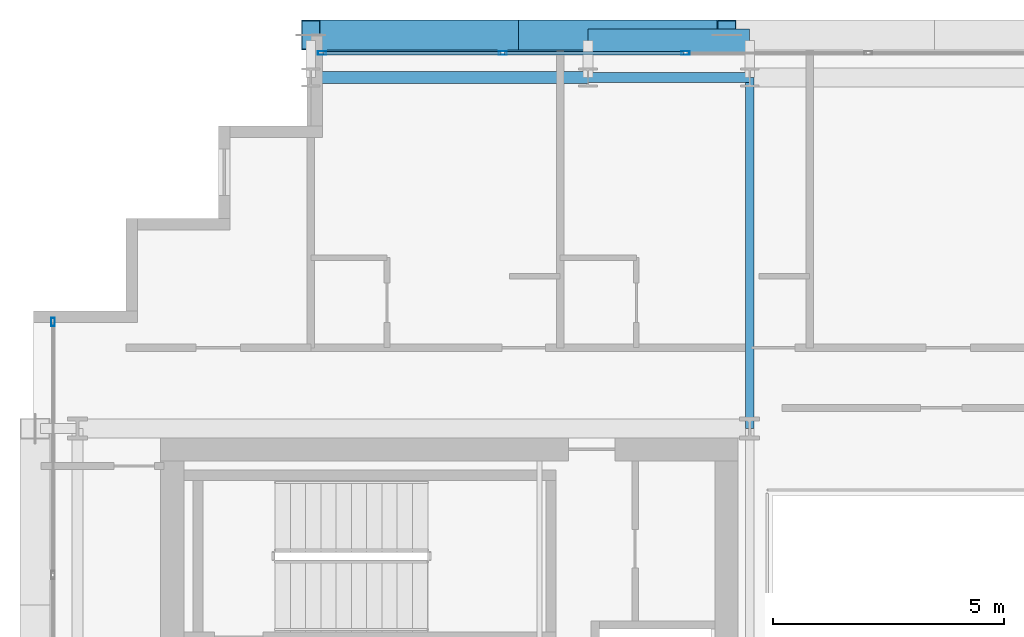
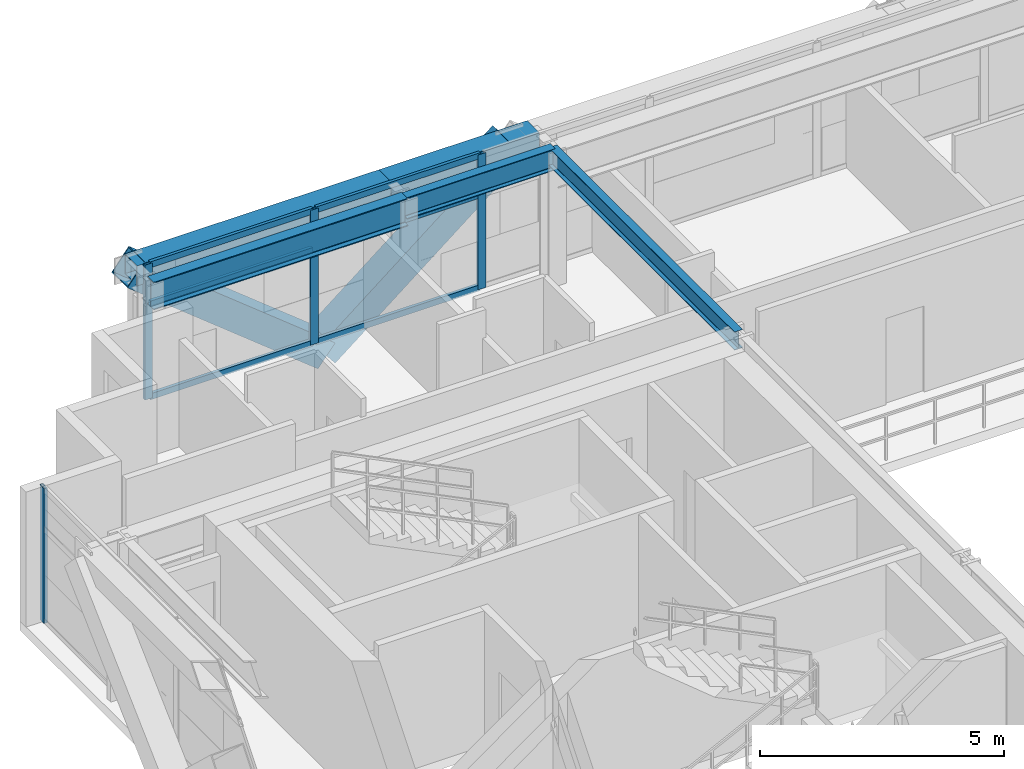
# One storey, part 16 of 32: 12 members, 5 beams, 2 elements without a shape of their own.
"""IFC4 building model written with IfcOpenShell, lengths in metres."""

from ifc_helpers import new_model, si_unit, direction, frame, origin, origin_2d, place, context, subcontext, project, spatial, hollow_rectangle, i_section, extrude, source, transform, mapped, material, layer, layer_set, material_profile, profile_set, type_object, element, aggregate, save


model = new_model("IFC4")

# Units and contexts
model_context = context("Model", 3, precision=1e-05, world=origin(), true_north=direction((0.0, 1.0)))
body_context = subcontext(model_context, "Body", "Model", "MODEL_VIEW")
ifc_project = project(units=[si_unit("LENGTHUNIT", "METRE"), si_unit("AREAUNIT", "SQUARE_METRE"), si_unit("VOLUMEUNIT", "CUBIC_METRE"), si_unit("PLANEANGLEUNIT", "RADIAN"), si_unit("MASSUNIT", "GRAM", prefix="KILO")], contexts=[model_context])

# Site, building, storey
site_placement = place(None, origin())
site = spatial("IfcSite", under=ifc_project, at=site_placement, CompositionType="ELEMENT")
building_placement = place(site_placement, origin())
building = spatial("IfcBuilding", under=site, at=building_placement, Name="Ocotamira Hotel", CompositionType="ELEMENT")
storey_placement = place(building_placement, frame((0.0, 0.0, 206.39990234375)))
storey = spatial("IfcBuildingStorey", under=building, at=storey_placement, Name="L52", CompositionType="ELEMENT", Elevation=206.39990234375)

# Beams
ifc_material_1 = material(Name="Steel ASTM A992 Grade 50", Category="steel")
ifc_material_profile_1 = material_profile(ifc_material_1, i_section(OverallWidth=0.256103515625, OverallDepth=0.693115234375, WebThickness=0.014404296875, FlangeThickness=0.023681640625, FilletRadius=0.01611328125, at=origin_2d()), Name="W27X114")
ifc_profile_set_1 = profile_set([ifc_material_profile_1], Name="Steel ASTM A992 Grade 50")
beam_type_1 = type_object("IfcBeamType", Name="BM-PRIM-W27X114", PredefinedType="BEAM", material=ifc_profile_set_1)
shared_shape_1 = source(origin(), body_context, "Body", "SweptSolid", [
    extrude(i_section(OverallWidth=0.256103515625, OverallDepth=0.693115234375, WebThickness=0.014404296875, FlangeThickness=0.023681640625, FilletRadius=0.01611328125, at=origin_2d()), origin(), (0.0, 0.0, 1.0), 6.0),
])
beam_1_placement = place(storey_placement, frame((14.0, 45.050048828125, 3.023681640625), z_axis=(1.0, 0.0, 0.0), x_axis=(0.0, 1.0, 0.0)))
element("IfcBeam", 1, at=beam_1_placement, inside=storey, type_object=beam_type_1, Name="L52 Girder Y45.05 X14-20", PredefinedType="BEAM", context=body_context, shape_type="MappedRepresentation", body=[
    mapped(shared_shape_1, transform((0.0, 0.0, 0.0), scale=1.0)),
])
ifc_material_profile_2 = material_profile(ifc_material_1, i_section(OverallWidth=0.2099609375, OverallDepth=0.537109375, WebThickness=0.010986328125, FlangeThickness=0.017333984375, FilletRadius=0.012939453125, at=origin_2d()), Name="W21X68")
ifc_profile_set_2 = profile_set([ifc_material_profile_2], Name="Steel ASTM A992 Grade 50")
beam_type_2 = type_object("IfcBeamType", Name="BM-SEC-W21X68", PredefinedType="JOIST", material=ifc_profile_set_2)
shared_shape_2 = source(origin(), body_context, "Body", "SweptSolid", [
    extrude(i_section(OverallWidth=0.2099609375, OverallDepth=0.537109375, WebThickness=0.010986328125, FlangeThickness=0.017333984375, FilletRadius=0.012939453125, at=origin_2d()), origin(), (0.0, 0.0, 1.0), 3.5),
])
beam_2_placement = place(storey_placement, frame((20.0, 45.050048828125, 3.1015625), z_axis=(1.0, 0.0, 0.0), x_axis=(0.0, 1.0, 0.0)))
element("IfcBeam", 2, at=beam_2_placement, inside=storey, type_object=beam_type_2, Name="L52 Girder Y45.05 X20-23.5", PredefinedType="JOIST", context=body_context, shape_type="MappedRepresentation", body=[
    mapped(shared_shape_2, transform((0.0, 0.0, 0.0), scale=1.0)),
])
ifc_material_2 = material(Name="Steel ASTM A500 Grade C", Category="steel")
ifc_material_profile_3 = material_profile(ifc_material_2, hollow_rectangle(XDim=0.5, YDim=0.5, WallThickness=0.02001953125, at=origin_2d()), Name="HSS500X500X20")
ifc_profile_set_3 = profile_set([ifc_material_profile_3], Name="Steel ASTM A500 Grade C")
beam_type_3 = type_object("IfcBeamType", Name="BM-SPAN-HSS500", PredefinedType="USERDEFINED", material=ifc_profile_set_3)
shared_shape_3 = source(origin(), body_context, "Body", "SweptSolid", [
    extrude(hollow_rectangle(XDim=0.5, YDim=0.5, WallThickness=0.02001953125, at=origin_2d()), origin(), (0.0, 0.0, 1.0), 6.0),
])
beam_3_placement = place(storey_placement, frame((14.0, 45.85009765625, 3.1201171875), z_axis=(1.0, 0.0, 0.0), x_axis=(0.0, 1.0, 0.0)))
element("IfcBeam", 3, at=beam_3_placement, inside=storey, type_object=beam_type_3, Name="L52 Edge Spandrel N X14-20", ObjectType="SPANDREL", PredefinedType="USERDEFINED", context=body_context, shape_type="MappedRepresentation", body=[
    mapped(shared_shape_3, transform((0.0, 0.0, 0.0), scale=1.0)),
])
shared_shape_4 = source(origin(), body_context, "Body", "SweptSolid", [
    extrude(hollow_rectangle(XDim=0.5, YDim=0.5, WallThickness=0.02001953125, at=origin_2d()), origin(), (0.0, 0.0, 1.0), 3.5),
])
beam_4_placement = place(storey_placement, frame((20.0, 45.85009765625, 3.1201171875), z_axis=(1.0, 0.0, 0.0), x_axis=(0.0, 1.0, 0.0)))
element("IfcBeam", 4, at=beam_4_placement, inside=storey, type_object=beam_type_3, Name="L52 Edge Spandrel N X20-23.5", ObjectType="SPANDREL", PredefinedType="USERDEFINED", context=body_context, shape_type="MappedRepresentation", body=[
    mapped(shared_shape_4, transform((0.0, 0.0, 0.0), scale=1.0)),
])
ifc_material_profile_4 = material_profile(ifc_material_1, i_section(OverallWidth=0.18994140625, OverallDepth=0.45703125, WebThickness=0.009033203125, FlangeThickness=0.014404296875, FilletRadius=0.010009765625, at=origin_2d()), Name="W18X50")
ifc_profile_set_4 = profile_set([ifc_material_profile_4], Name="Steel ASTM A992 Grade 50")
beam_type_4 = type_object("IfcBeamType", Name="BM-SEC-W18X50", PredefinedType="JOIST", material=ifc_profile_set_4)
shared_shape_5 = source(origin(), body_context, "Body", "SweptSolid", [
    extrude(i_section(OverallWidth=0.18994140625, OverallDepth=0.45703125, WebThickness=0.009033203125, FlangeThickness=0.014404296875, FilletRadius=0.010009765625, at=origin_2d()), origin(), (0.0, 0.0, 1.0), 7.60009765625),
])
beam_5_placement = place(storey_placement, frame((23.5, 37.449951171875, 3.1416015625), z_axis=(0.0, 1.0, 0.0), x_axis=(-1.0, 0.0, 0.0)))
element("IfcBeam", 5, at=beam_5_placement, inside=storey, type_object=beam_type_4, Name="L52 Beam X23.5 Y37.45-45.05", PredefinedType="JOIST", context=body_context, shape_type="MappedRepresentation", body=[
    mapped(shared_shape_5, transform((0.0, 0.0, 0.0), scale=1.0)),
])

# Members
ifc_material_3 = material(Name="Pale-metal coated steel ASTM A913 Grade 65", Category="steel")
ifc_material_profile_5 = material_profile(ifc_material_3, hollow_rectangle(XDim=0.64990234375, YDim=0.64990234375, WallThickness=0.02197265625, at=origin_2d()), Name="BOX650X650X22")
ifc_profile_set_5 = profile_set([ifc_material_profile_5], Name="Pale-metal coated steel ASTM A913 Grade 65")
member_type_1 = type_object("IfcMemberType", Name="MEM-EXO-BOX650", PredefinedType="BRACE", material=ifc_profile_set_5)
shared_shape_6 = source(origin(), body_context, "Body", "SweptSolid", [
    extrude(hollow_rectangle(XDim=0.64990234375, YDim=0.64990234375, WallThickness=0.02197265625, at=origin_2d()), origin(), (0.0, 0.0, 1.0), 5.762939453125),
])
for number, where, z_axis, x_axis, name in (
    (6, (18.5, 45.969970703125, -0.47998046875), (-0.780860543151, 0.0, 0.624705380279), (0.0, -1.0, 0.0), "L52 Exoskeleton Diagrid N0.1"),
    (7, (18.5, 45.969970703125, -0.47998046875), (0.780860543151, 0.0, 0.624705380279), (0.0, 1.0, 0.0), "L52 Exoskeleton Diagrid N0.2"),
):
    element("IfcMember", number, at=place(storey_placement, frame(where, z_axis=z_axis, x_axis=x_axis)), inside=storey, type_object=member_type_1, Name=name, PredefinedType="BRACE", context=body_context, shape_type="MappedRepresentation", body=[
        mapped(shared_shape_6, transform((0.0, 0.0, 0.0), scale=1.0)),
    ])

# Curtain wall, members
ifc_material_4 = material(Name="Anodised pale-metal aluminium and solar glass", Category="aluminium")
ifc_layer = layer(ifc_material_4, 0.199951171875)
ifc_layer_set = layer_set([ifc_layer], Name="Anodised pale-metal aluminium and solar glass")
curtain_wall_type = type_object("IfcCurtainWallType", Name="CW-SYS4-Z3", PredefinedType="NOTDEFINED", material=ifc_layer_set)
curtain_wall_1_placement = place(storey_placement, origin())
curtain_wall_1 = element("IfcCurtainWall", 8, at=curtain_wall_1_placement, inside=storey, type_object=curtain_wall_type, Name="L52 Curtain Wall CW-4 CW-L52-N", PredefinedType="NOTDEFINED")
ifc_material_5 = material(Name="Anodised pale-metal aluminium 6063-T6", Category="aluminium")
ifc_material_profile_6 = material_profile(ifc_material_5, hollow_rectangle(XDim=0.074951171875, YDim=0.14990234375, WallThickness=0.006103515625, at=origin_2d()), Name="HSS150X75X6")
ifc_profile_set_6 = profile_set([ifc_material_profile_6], Name="Anodised pale-metal aluminium 6063-T6")
member_type_2 = type_object("IfcMemberType", Name="CWT-150X75", PredefinedType="USERDEFINED", material=ifc_profile_set_6)
shared_shape_7 = source(origin(), body_context, "Body", "SweptSolid", [
    extrude(hollow_rectangle(XDim=0.074951171875, YDim=0.14990234375, WallThickness=0.006103515625, at=origin_2d()), origin(), (0.0, 0.0, 1.0), 3.83544921875),
])
member_1_placement = place(storey_placement, frame((14.280029296875, 45.580078125, 0.03759765625), z_axis=(1.0, 0.0, 0.0), x_axis=(0.0, 1.0, 0.0)))
member_1 = element("IfcMember", 9, at=member_1_placement, type_object=member_type_2, Name="CW-4 transom 1.1", ObjectType="TRANSOM", PredefinedType="USERDEFINED", context=body_context, shape_type="MappedRepresentation", body=[
    mapped(shared_shape_7, transform((0.0, 0.0, 0.0), scale=1.0)),
])
member_2_placement = place(storey_placement, frame((14.280029296875, 45.580078125, 2.35009765625), z_axis=(1.0, 0.0, 0.0), x_axis=(0.0, 1.0, 0.0)))
member_2 = element("IfcMember", 10, at=member_2_placement, type_object=member_type_2, Name="CW-4 transom 1.2", ObjectType="TRANSOM", PredefinedType="USERDEFINED", context=body_context, shape_type="MappedRepresentation", body=[
    mapped(shared_shape_7, transform((0.0, 0.0, 0.0), scale=1.0)),
])
member_3_placement = place(storey_placement, frame((14.280029296875, 45.580078125, 3.33251953125), z_axis=(1.0, 0.0, 0.0), x_axis=(0.0, 1.0, 0.0)))
member_3 = element("IfcMember", 11, at=member_3_placement, type_object=member_type_2, Name="CW-4 transom 1.3", ObjectType="TRANSOM", PredefinedType="USERDEFINED", context=body_context, shape_type="MappedRepresentation", body=[
    mapped(shared_shape_7, transform((0.0, 0.0, 0.0), scale=1.0)),
])
shared_shape_8 = source(origin(), body_context, "Body", "SweptSolid", [
    extrude(hollow_rectangle(XDim=0.074951171875, YDim=0.14990234375, WallThickness=0.006103515625, at=origin_2d()), origin(), (0.0, 0.0, 1.0), 3.87548828125),
])
member_4_placement = place(storey_placement, frame((18.195556640625, 45.580078125, 0.03759765625), z_axis=(1.0, 0.0, 0.0), x_axis=(0.0, 1.0, 0.0)))
member_4 = element("IfcMember", 12, at=member_4_placement, type_object=member_type_2, Name="CW-4 transom 2.1", ObjectType="TRANSOM", PredefinedType="USERDEFINED", context=body_context, shape_type="MappedRepresentation", body=[
    mapped(shared_shape_8, transform((0.0, 0.0, 0.0), scale=1.0)),
])
member_5_placement = place(storey_placement, frame((18.195556640625, 45.580078125, 2.35009765625), z_axis=(1.0, 0.0, 0.0), x_axis=(0.0, 1.0, 0.0)))
member_5 = element("IfcMember", 13, at=member_5_placement, type_object=member_type_2, Name="CW-4 transom 2.2", ObjectType="TRANSOM", PredefinedType="USERDEFINED", context=body_context, shape_type="MappedRepresentation", body=[
    mapped(shared_shape_8, transform((0.0, 0.0, 0.0), scale=1.0)),
])
member_6_placement = place(storey_placement, frame((18.195556640625, 45.580078125, 3.33251953125), z_axis=(1.0, 0.0, 0.0), x_axis=(0.0, 1.0, 0.0)))
member_6 = element("IfcMember", 14, at=member_6_placement, type_object=member_type_2, Name="CW-4 transom 2.3", ObjectType="TRANSOM", PredefinedType="USERDEFINED", context=body_context, shape_type="MappedRepresentation", body=[
    mapped(shared_shape_8, transform((0.0, 0.0, 0.0), scale=1.0)),
])
ifc_material_profile_7 = material_profile(ifc_material_5, hollow_rectangle(XDim=0.080078125, YDim=0.179931640625, WallThickness=0.006103515625, at=origin_2d()), Name="HSS180X80X6")
ifc_profile_set_7 = profile_set([ifc_material_profile_7], Name="Anodised pale-metal aluminium 6063-T6")
member_type_3 = type_object("IfcMemberType", Name="CWM-180X75", PredefinedType="MULLION", material=ifc_profile_set_7)
shared_shape_9 = source(origin(), body_context, "Body", "SweptSolid", [
    extrude(hollow_rectangle(XDim=0.080078125, YDim=0.179931640625, WallThickness=0.006103515625, at=origin_2d()), origin(), (0.0, 0.0, 1.0), 3.3701171875),
])
member_7_placement = place(storey_placement, frame((14.239990234375, 45.580078125, 0.0), z_axis=(0.0, 0.0, 1.0), x_axis=(0.0, 1.0, 0.0)))
member_7 = element("IfcMember", 15, at=member_7_placement, type_object=member_type_3, Name="CW-4 mullion 1", PredefinedType="MULLION", context=body_context, shape_type="MappedRepresentation", body=[
    mapped(shared_shape_9, transform((0.0, 0.0, 0.0), scale=1.0)),
])
member_8_placement = place(storey_placement, frame((18.155517578125, 45.580078125, 0.0), z_axis=(0.0, 0.0, 1.0), x_axis=(0.0, 1.0, 0.0)))
member_8 = element("IfcMember", 16, at=member_8_placement, type_object=member_type_3, Name="CW-4 mullion 2", PredefinedType="MULLION", context=body_context, shape_type="MappedRepresentation", body=[
    mapped(shared_shape_9, transform((0.0, 0.0, 0.0), scale=1.0)),
])
member_9_placement = place(storey_placement, frame((22.111083984375, 45.580078125, 0.0), z_axis=(0.0, 0.0, 1.0), x_axis=(0.0, 1.0, 0.0)))
member_9 = element("IfcMember", 17, at=member_9_placement, type_object=member_type_3, Name="CW-4 mullion 3", PredefinedType="MULLION", context=body_context, shape_type="MappedRepresentation", body=[
    mapped(shared_shape_9, transform((0.0, 0.0, 0.0), scale=1.0)),
])
aggregate(curtain_wall_1, [member_7, member_8, member_9, member_1, member_2, member_3, member_4, member_5, member_6])

# Curtain wall, member
curtain_wall_2_placement = place(storey_placement, origin())
curtain_wall_2 = element("IfcCurtainWall", 18, at=curtain_wall_2_placement, inside=storey, type_object=curtain_wall_type, Name="L52 Curtain Wall CW-4 CW-L52-W", PredefinedType="NOTDEFINED")
member_10_placement = place(storey_placement, frame((8.419921875, 39.760009765625, 0.0), z_axis=(0.0, 0.0, 1.0), x_axis=(-1.0, 0.0, 0.0)))
member_10 = element("IfcMember", 19, at=member_10_placement, type_object=member_type_3, Name="CW-4 mullion 6", PredefinedType="MULLION", context=body_context, shape_type="MappedRepresentation", body=[
    mapped(shared_shape_9, transform((0.0, 0.0, 0.0), scale=1.0)),
])
aggregate(curtain_wall_2, [member_10])

save(model, "model.ifc")
